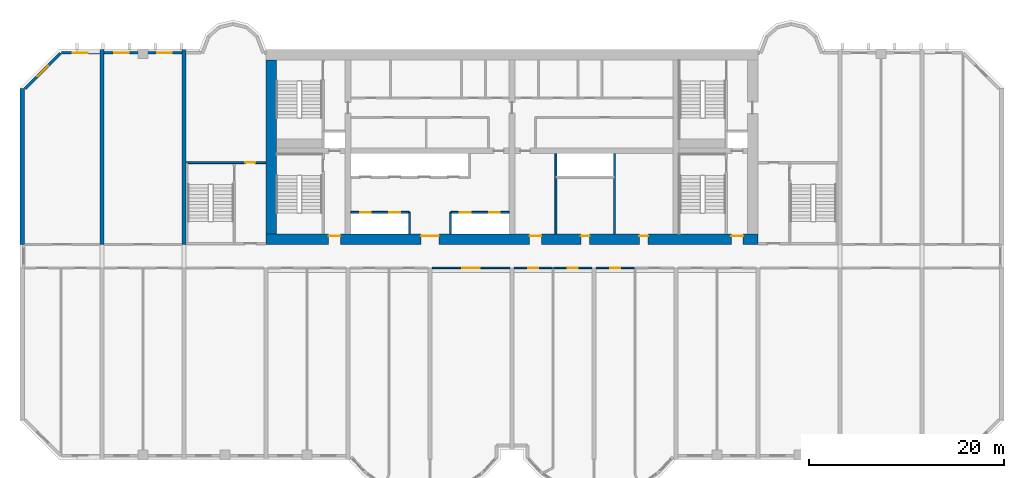
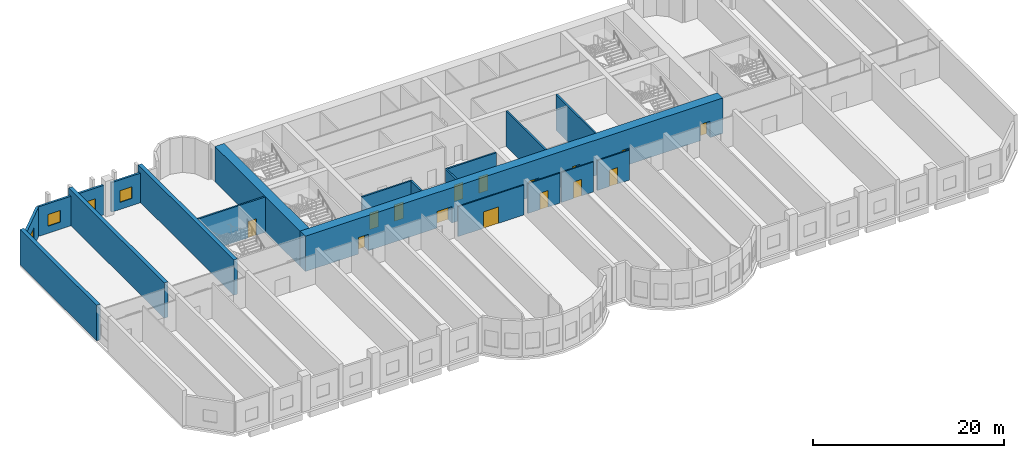
# One storey, part 4 of 10: 20 walls, 15 doors, 4 windows, 19 openings.
"""IFC4 building model written with IfcOpenShell, lengths in metres."""

from ifc_helpers import new_model, si_unit, direction, frame, frame_2d, origin, place, context, subcontext, project, spatial, rectangle, extrude, source, transform, mapped, material, layer, layer_set, type_object, element, fill, save


model = new_model("IFC4")

# Units and contexts
model_context = context("Model", 3, precision=1e-05, world=origin(), true_north=direction((0.0, 1.0)))
body_context = subcontext(model_context, "Body", "Model", "MODEL_VIEW")
ifc_project = project(units=[si_unit("LENGTHUNIT", "METRE"), si_unit("AREAUNIT", "SQUARE_METRE"), si_unit("VOLUMEUNIT", "CUBIC_METRE"), si_unit("PLANEANGLEUNIT", "RADIAN"), si_unit("MASSUNIT", "GRAM", prefix="KILO")], contexts=[model_context])

# Site, building, storey
site_placement = place(None, origin())
site = spatial("IfcSite", under=ifc_project, at=site_placement, CompositionType="ELEMENT")
building_placement = place(site_placement, origin())
building = spatial("IfcBuilding", under=site, at=building_placement, Name="Vanashikhar Sky Hotel", CompositionType="ELEMENT")
storey_placement = place(building_placement, frame((0.0, 0.0, 23.0)))
storey = spatial("IfcBuildingStorey", under=building, at=storey_placement, Name="L04", CompositionType="ELEMENT", Elevation=23.0)

# Wall, openings, doors
ifc_material_1 = material(Name="Concrete M80", Category="concrete")
ifc_layer_1 = layer(ifc_material_1, 1.10009765625)
ifc_layer_set_1 = layer_set([ifc_layer_1], Name="RC core shell wall 1100 Concrete M80")
wall_type_1 = type_object("IfcWallType", Name="RC core shell wall 1100 Concrete M80", PredefinedType="SHEAR", material=ifc_layer_set_1)
shared_shape_1 = source(origin(), body_context, "Body", "SweptSolid", [
    extrude(rectangle(XDim=50.400146484375, YDim=1.10009765625, at=frame_2d((25.2001953125, 0.0))), origin(), (0.0, 0.0, 1.0), 4.52001953125),
])
wall_1_placement = place(storey_placement, frame((25.199951171875, 22.550048828125, 0.0), z_axis=(0.0, 0.0, 1.0), x_axis=(1.0, 0.0, 0.0)))
wall_1 = element("IfcWall", 1, at=wall_1_placement, inside=storey, type_object=wall_type_1, Name="KW-L04-KS", PredefinedType="SHEAR", context=body_context, shape_type="MappedRepresentation", body=[
    mapped(shared_shape_1, transform((0.0, 0.0, 0.0), scale=1.0)),
])
shared_shape_2 = source(origin(), body_context, "Body", "SweptSolid", [
    extrude(rectangle(XDim=1.800048828125, YDim=2.10009765625, at=frame_2d((0.89990234375, 1.050048828125))), frame((0.0, 0.56005859375, 0.0), z_axis=(0.0, -1.0, 0.0), x_axis=(1.0, 0.0, 0.0)), (0.0, 0.0, 1.0), 1.1201171875),
])
opening_1_placement = place(wall_1_placement, frame((15.89990234375, 0.0, 0.0)))
opening_1 = element("IfcOpeningElement", 2, at=opening_1_placement, cuts=wall_1, Name="Opening DC-3-A", PredefinedType="OPENING", context=body_context, shape_type="MappedRepresentation", body=[
    mapped(shared_shape_2, transform((0.0, 0.0, 0.0), scale=1.0)),
])
shared_shape_3 = source(origin(), body_context, "Body", "SweptSolid", [
    extrude(rectangle(XDim=1.199951171875, YDim=2.10009765625, at=frame_2d((0.60009765625, 1.050048828125))), frame((0.0, 0.56005859375, 0.0), z_axis=(0.0, -1.0, 0.0), x_axis=(1.0, 0.0, 0.0)), (0.0, 0.0, 1.0), 1.1201171875),
])
opening_2_placement = place(wall_1_placement, frame((27.0, 0.0, 0.0)))
opening_2 = element("IfcOpeningElement", 3, at=opening_2_placement, cuts=wall_1, Name="Opening DC-4-B", PredefinedType="OPENING", context=body_context, shape_type="MappedRepresentation", body=[
    mapped(shared_shape_3, transform((0.0, 0.0, 0.0), scale=1.0)),
])
shared_shape_4 = source(origin(), body_context, "Body", "SweptSolid", [
    extrude(rectangle(XDim=0.89990234375, YDim=2.10009765625, at=frame_2d((0.449951171875, 1.050048828125))), frame((0.0, 0.56005859375, 0.0), z_axis=(0.0, -1.0, 0.0), x_axis=(1.0, 0.0, 0.0)), (0.0, 0.0, 1.0), 1.1201171875),
])
opening_3_placement = place(wall_1_placement, frame((32.25, 0.0, 0.0)))
opening_3 = element("IfcOpeningElement", 4, at=opening_3_placement, cuts=wall_1, Name="Opening DC-4-A", PredefinedType="OPENING", context=body_context, shape_type="MappedRepresentation", body=[
    mapped(shared_shape_4, transform((0.0, 0.0, 0.0), scale=1.0)),
])
opening_4_placement = place(wall_1_placement, frame((38.25, 0.0, 0.0)))
opening_4 = element("IfcOpeningElement", 5, at=opening_4_placement, cuts=wall_1, Name="Opening DC-4-A", PredefinedType="OPENING", context=body_context, shape_type="MappedRepresentation", body=[
    mapped(shared_shape_4, transform((0.0, 0.0, 0.0), scale=1.0)),
])
opening_5_placement = place(wall_1_placement, frame((6.425048828125, 0.0, 0.0)))
opening_5 = element("IfcOpeningElement", 6, at=opening_5_placement, cuts=wall_1, Name="Opening DC-2", PredefinedType="OPENING", context=body_context, shape_type="MappedRepresentation", body=[
    mapped(shared_shape_3, transform((0.0, 0.0, 0.0), scale=1.0)),
])
opening_6_placement = place(wall_1_placement, frame((47.675048828125, 0.0, 0.0)))
opening_6 = element("IfcOpeningElement", 7, at=opening_6_placement, cuts=wall_1, Name="Opening DC-2", PredefinedType="OPENING", context=body_context, shape_type="MappedRepresentation", body=[
    mapped(shared_shape_3, transform((0.0, 0.0, 0.0), scale=1.0)),
])
ifc_material_2 = material(Name="Glass", Category="glass")
door_type_1 = type_object("IfcDoorType", Name="Lift lobby entrance door 1800 FD30S", OperationType="NOTDEFINED", PredefinedType="DOOR", material=ifc_material_2)
shared_shape_5 = source(origin(), body_context, "Body", "SweptSolid", [
    extrude(rectangle(XDim=1.800048828125, YDim=2.10009765625, at=frame_2d((0.89990234375, 1.050048828125))), frame((0.0, 0.3251953125, 0.0), z_axis=(0.0, -1.0, 0.0), x_axis=(1.0, 0.0, 0.0)), (0.0, 0.0, 1.0), 0.050048828125),
])
door_1_placement = place(opening_1_placement, origin())
door_1 = element("IfcDoor", 8, at=door_1_placement, inside=storey, type_object=door_type_1, Name="Lift lobby entrance door 1800 FD30S", OperationType="DOUBLE_DOOR_SINGLE_SWING", OverallHeight=2.10009765625, OverallWidth=1.800048828125, PredefinedType="DOOR", context=body_context, shape_type="MappedRepresentation", body=[
    mapped(shared_shape_5, transform((0.0, 0.0, 0.0), scale=1.0)),
])
fill(opening_1, door_1)
ifc_material_3 = material(Name="Steel", Category="steel")
door_type_2 = type_object("IfcDoorType", Name="Service door 1200 FD60", OperationType="NOTDEFINED", PredefinedType="DOOR", material=ifc_material_3)
shared_shape_6 = source(origin(), body_context, "Body", "SweptSolid", [
    extrude(rectangle(XDim=1.199951171875, YDim=2.10009765625, at=frame_2d((0.60009765625, 1.050048828125))), frame((0.0, 0.3251953125, 0.0), z_axis=(0.0, -1.0, 0.0), x_axis=(1.0, 0.0, 0.0)), (0.0, 0.0, 1.0), 0.050048828125),
])
door_2_placement = place(opening_2_placement, origin())
door_2 = element("IfcDoor", 9, at=door_2_placement, inside=storey, type_object=door_type_2, Name="Service door 1200 FD60", OperationType="SINGLE_SWING_LEFT", OverallHeight=2.10009765625, OverallWidth=1.199951171875, PredefinedType="DOOR", context=body_context, shape_type="MappedRepresentation", body=[
    mapped(shared_shape_6, transform((0.0, 0.0, 0.0), scale=1.0)),
])
fill(opening_2, door_2)
door_type_3 = type_object("IfcDoorType", Name="Firefighting lobby door 1200 FD120", OperationType="NOTDEFINED", PredefinedType="DOOR", material=ifc_material_3)
door_3_placement = place(opening_5_placement, origin())
door_3 = element("IfcDoor", 10, at=door_3_placement, inside=storey, type_object=door_type_3, Name="Firefighting lobby door 1200 FD120", OperationType="SINGLE_SWING_LEFT", OverallHeight=2.10009765625, OverallWidth=1.199951171875, PredefinedType="DOOR", context=body_context, shape_type="MappedRepresentation", body=[
    mapped(shared_shape_6, transform((0.0, 0.0, 0.0), scale=1.0)),
])
fill(opening_5, door_3)
door_4_placement = place(opening_6_placement, origin())
door_4 = element("IfcDoor", 11, at=door_4_placement, inside=storey, type_object=door_type_3, Name="Firefighting lobby door 1200 FD120", OperationType="SINGLE_SWING_RIGHT", OverallHeight=2.10009765625, OverallWidth=1.199951171875, PredefinedType="DOOR", context=body_context, shape_type="MappedRepresentation", body=[
    mapped(shared_shape_6, transform((0.0, 0.0, 0.0), scale=1.0)),
])
fill(opening_6, door_4)
door_type_4 = type_object("IfcDoorType", Name="Service door 900 FD60", OperationType="NOTDEFINED", PredefinedType="DOOR", material=ifc_material_3)
shared_shape_7 = source(origin(), body_context, "Body", "SweptSolid", [
    extrude(rectangle(XDim=0.89990234375, YDim=2.10009765625, at=frame_2d((0.449951171875, 1.050048828125))), frame((0.0, 0.3251953125, 0.0), z_axis=(0.0, -1.0, 0.0), x_axis=(1.0, 0.0, 0.0)), (0.0, 0.0, 1.0), 0.050048828125),
])
door_5_placement = place(opening_3_placement, origin())
door_5 = element("IfcDoor", 12, at=door_5_placement, inside=storey, type_object=door_type_4, Name="Service door 900 FD60", OperationType="SINGLE_SWING_RIGHT", OverallHeight=2.10009765625, OverallWidth=0.89990234375, PredefinedType="DOOR", context=body_context, shape_type="MappedRepresentation", body=[
    mapped(shared_shape_7, transform((0.0, 0.0, 0.0), scale=1.0)),
])
fill(opening_3, door_5)
door_6_placement = place(opening_4_placement, origin())
door_6 = element("IfcDoor", 13, at=door_6_placement, inside=storey, type_object=door_type_4, Name="Service door 900 FD60", OperationType="SINGLE_SWING_LEFT", OverallHeight=2.10009765625, OverallWidth=0.89990234375, PredefinedType="DOOR", context=body_context, shape_type="MappedRepresentation", body=[
    mapped(shared_shape_7, transform((0.0, 0.0, 0.0), scale=1.0)),
])
fill(opening_4, door_6)

# Walls
shared_shape_8 = source(origin(), body_context, "Body", "SweptSolid", [
    extrude(rectangle(XDim=17.7998046875, YDim=1.10009765625, at=frame_2d((8.89990234375, 0.0))), origin(), (0.0, 0.0, 1.0), 4.52001953125),
])
wall_2_placement = place(storey_placement, frame((25.75, 23.10009765625, 0.0), z_axis=(0.0, 0.0, 1.0), x_axis=(0.0, 1.0, 0.0)))
element("IfcWall", 14, at=wall_2_placement, inside=storey, type_object=wall_type_1, Name="KW-L04-KW", PredefinedType="SHEAR", context=body_context, shape_type="MappedRepresentation", body=[
    mapped(shared_shape_8, transform((0.0, 0.0, 0.0), scale=1.0)),
])
ifc_layer_2 = layer(ifc_material_1, 0.449951171875)
ifc_layer_set_2 = layer_set([ifc_layer_2], Name="RC shear wall 450 Concrete M80")
wall_type_2 = type_object("IfcWallType", Name="RC shear wall 450 Concrete M80", PredefinedType="SHEAR", material=ifc_layer_set_2)
shared_shape_9 = source(origin(), body_context, "Body", "SweptSolid", [
    extrude(rectangle(XDim=16.0, YDim=0.449951171875, at=frame_2d((8.0, 0.0))), origin(), (0.0, 0.0, 1.0), 4.52001953125),
])
wall_3_placement = place(storey_placement, frame((0.22509765625, 22.0, 0.0), z_axis=(0.0, 0.0, 1.0), x_axis=(0.0, 1.0, 0.0)))
element("IfcWall", 15, at=wall_3_placement, inside=storey, type_object=wall_type_2, Name="CW-L04-XW01-2", PredefinedType="SHEAR", context=body_context, shape_type="MappedRepresentation", body=[
    mapped(shared_shape_9, transform((0.0, 0.0, 0.0), scale=1.0)),
])
shared_shape_10 = source(origin(), body_context, "Body", "SweptSolid", [
    extrude(rectangle(XDim=20.0, YDim=0.449951171875, at=frame_2d((10.0, 0.0))), origin(), (0.0, 0.0, 1.0), 4.52001953125),
])
for number, where, z_axis, x_axis, name in (
    (16, (8.39990234375, 22.0, 0.0), (0.0, 0.0, 1.0), (0.0, 1.0, 0.0), "CW-L04-XW02-2"),
    (17, (16.800048828125, 22.0, 0.0), (0.0, 0.0, 1.0), (0.0, 1.0, 0.0), "CW-L04-XW03-2"),
):
    element("IfcWall", number, at=place(storey_placement, frame(where, z_axis=z_axis, x_axis=x_axis)), inside=storey, type_object=wall_type_2, Name=name, PredefinedType="SHEAR", context=body_context, shape_type="MappedRepresentation", body=[
        mapped(shared_shape_10, transform((0.0, 0.0, 0.0), scale=1.0)),
    ])

# Wall, opening, window
ifc_material_4 = material(Name="Concrete M50", Category="concrete")
ifc_layer_3 = layer(ifc_material_4, 0.25)
ifc_layer_set_3 = layer_set([ifc_layer_3], Name="Rear and end board-marked wall 250")
wall_type_3 = type_object("IfcWallType", Name="Rear and end board-marked wall 250", PredefinedType="SOLIDWALL", material=ifc_layer_set_3)
shared_shape_11 = source(origin(), body_context, "Body", "SweptSolid", [
    extrude(rectangle(XDim=3.52490234375, YDim=0.25, at=frame_2d((1.762451171875, 0.0))), origin(), (0.0, 0.0, 1.0), 3.77001953125),
])
wall_4_placement = place(storey_placement, frame((16.574951171875, 41.625, 0.0), z_axis=(0.0, 0.0, 1.0), x_axis=(-1.0, 0.0, 0.0)))
wall_4 = element("IfcWall", 18, at=wall_4_placement, inside=storey, type_object=wall_type_3, Name="Podium external wall", PredefinedType="SOLIDWALL", context=body_context, shape_type="MappedRepresentation", body=[
    mapped(shared_shape_11, transform((0.0, 0.0, 0.0), scale=1.0)),
])
shared_shape_12 = source(origin(), body_context, "Body", "SweptSolid", [
    extrude(rectangle(XDim=1.5, YDim=1.5, at=frame_2d((0.75, 0.75))), frame((0.0, 0.135009765625, 0.0), z_axis=(0.0, -1.0, 0.0), x_axis=(1.0, 0.0, 0.0)), (0.0, 0.0, 1.0), 0.27001953125),
])
opening_7_placement = place(wall_4_placement, frame((1.012451171875, 0.0, 0.89990234375)))
opening_7 = element("IfcOpeningElement", 19, at=opening_7_placement, cuts=wall_4, Name="Opening WN-1", PredefinedType="OPENING", context=body_context, shape_type="MappedRepresentation", body=[
    mapped(shared_shape_12, transform((0.0, 0.0, 0.0), scale=1.0)),
])
window_type = type_object("IfcWindowType", Name="Window 1500 x 1500", PartitioningType="SINGLE_PANEL", PredefinedType="WINDOW", material=ifc_material_2)
shared_shape_13 = source(origin(), body_context, "Body", "SweptSolid", [
    extrude(rectangle(XDim=1.5, YDim=1.5, at=frame_2d((0.75, 0.75))), frame((0.0, 0.030029296875, 0.0), z_axis=(0.0, -1.0, 0.0), x_axis=(1.0, 0.0, 0.0)), (0.0, 0.0, 1.0), 0.06005859375),
])
window_1_placement = place(opening_7_placement, origin())
window_1 = element("IfcWindow", 20, at=window_1_placement, inside=storey, type_object=window_type, Name="Window WN-1", OverallHeight=1.5, OverallWidth=1.5, PartitioningType="SINGLE_PANEL", PredefinedType="WINDOW", context=body_context, shape_type="MappedRepresentation", body=[
    mapped(shared_shape_13, transform((0.0, 0.0, 0.0), scale=1.0)),
])
fill(opening_7, window_1)

wall_5_placement = place(storey_placement, frame((12.14990234375, 41.625, 0.0), z_axis=(0.0, 0.0, 1.0), x_axis=(-1.0, 0.0, 0.0)))
wall_5 = element("IfcWall", 21, at=wall_5_placement, inside=storey, type_object=wall_type_3, Name="Podium external wall", PredefinedType="SOLIDWALL", context=body_context, shape_type="MappedRepresentation", body=[
    mapped(shared_shape_11, transform((0.0, 0.0, 0.0), scale=1.0)),
])
opening_8_placement = place(wall_5_placement, frame((1.012451171875, 0.0, 0.89990234375)))
opening_8 = element("IfcOpeningElement", 22, at=opening_8_placement, cuts=wall_5, Name="Opening WN-1", PredefinedType="OPENING", context=body_context, shape_type="MappedRepresentation", body=[
    mapped(shared_shape_12, transform((0.0, 0.0, 0.0), scale=1.0)),
])
window_2_placement = place(opening_8_placement, origin())
window_2 = element("IfcWindow", 23, at=window_2_placement, inside=storey, type_object=window_type, Name="Window WN-1", OverallHeight=1.5, OverallWidth=1.5, PartitioningType="SINGLE_PANEL", PredefinedType="WINDOW", context=body_context, shape_type="MappedRepresentation", body=[
    mapped(shared_shape_13, transform((0.0, 0.0, 0.0), scale=1.0)),
])
fill(opening_8, window_2)

shared_shape_14 = source(origin(), body_context, "Body", "SweptSolid", [
    extrude(rectangle(XDim=3.899658203125, YDim=0.25, at=frame_2d((1.94970703125, 0.0))), origin(), (0.0, 0.0, 1.0), 3.77001953125),
])
wall_6_placement = place(storey_placement, frame((8.175048828125, 41.625, 0.0), z_axis=(0.0, 0.0, 1.0), x_axis=(-1.0, 0.0, 0.0)))
wall_6 = element("IfcWall", 24, at=wall_6_placement, inside=storey, type_object=wall_type_3, Name="Podium external wall", PredefinedType="SOLIDWALL", context=body_context, shape_type="MappedRepresentation", body=[
    mapped(shared_shape_14, transform((0.0, 0.0, 0.0), scale=1.0)),
])
opening_9_placement = place(wall_6_placement, frame((1.259765625, 0.0, 0.89990234375)))
opening_9 = element("IfcOpeningElement", 25, at=opening_9_placement, cuts=wall_6, Name="Opening WN-1", PredefinedType="OPENING", context=body_context, shape_type="MappedRepresentation", body=[
    mapped(shared_shape_12, transform((0.0, 0.0, 0.0), scale=1.0)),
])
window_3_placement = place(opening_9_placement, origin())
window_3 = element("IfcWindow", 26, at=window_3_placement, inside=storey, type_object=window_type, Name="Window WN-1", OverallHeight=1.5, OverallWidth=1.5, PartitioningType="SINGLE_PANEL", PredefinedType="WINDOW", context=body_context, shape_type="MappedRepresentation", body=[
    mapped(shared_shape_13, transform((0.0, 0.0, 0.0), scale=1.0)),
])
fill(opening_9, window_3)

ifc_layer_4 = layer(ifc_material_4, 0.300048828125)
ifc_layer_set_4 = layer_set([ifc_layer_4], Name="Lobe wall 300")
wall_type_4 = type_object("IfcWallType", Name="Lobe wall 300", PredefinedType="SOLIDWALL", material=ifc_layer_set_4)
shared_shape_15 = source(origin(), body_context, "Body", "SweptSolid", [
    extrude(rectangle(XDim=5.173095703125, YDim=0.300048828125, at=frame_2d((2.58642578125, 0.0))), origin(), (0.0, 0.0, 1.0), 3.77001953125),
])
wall_7_placement = place(storey_placement, frame((4.165771484375, 41.60009765625, 0.0), z_axis=(0.0, 0.0, 1.0), x_axis=(-0.707106781187, -0.707106781187, 0.0)))
wall_7 = element("IfcWall", 27, at=wall_7_placement, inside=storey, type_object=wall_type_4, Name="Corner wall", PredefinedType="SOLIDWALL", context=body_context, shape_type="MappedRepresentation", body=[
    mapped(shared_shape_15, transform((0.0, 0.0, 0.0), scale=1.0)),
])
shared_shape_16 = source(origin(), body_context, "Body", "SweptSolid", [
    extrude(rectangle(XDim=1.5, YDim=1.5, at=frame_2d((0.75, 0.75))), frame((0.0, 0.16015625, 0.0), z_axis=(0.0, -1.0, 0.0), x_axis=(1.0, 0.0, 0.0)), (0.0, 0.0, 1.0), 0.320068359375),
])
opening_10_placement = place(wall_7_placement, frame((1.83642578125, 0.0, 0.89990234375)))
opening_10 = element("IfcOpeningElement", 28, at=opening_10_placement, cuts=wall_7, Name="Opening WN-1", PredefinedType="OPENING", context=body_context, shape_type="MappedRepresentation", body=[
    mapped(shared_shape_16, transform((0.0, 0.0, 0.0), scale=1.0)),
])
window_4_placement = place(opening_10_placement, origin())
window_4 = element("IfcWindow", 29, at=window_4_placement, inside=storey, type_object=window_type, Name="Window WN-1", OverallHeight=1.5, OverallWidth=1.5, PartitioningType="SINGLE_PANEL", PredefinedType="WINDOW", context=body_context, shape_type="MappedRepresentation", body=[
    mapped(shared_shape_13, transform((0.0, 0.0, 0.0), scale=1.0)),
])
fill(opening_10, window_4)

# Wall, opening, door
ifc_layer_5 = layer(ifc_material_4, 0.199951171875)
ifc_layer_set_5 = layer_set([ifc_layer_5], Name="Stair wall 200")
wall_type_5 = type_object("IfcWallType", Name="Stair wall 200", PredefinedType="SOLIDWALL", material=ifc_layer_set_5)
shared_shape_17 = source(origin(), body_context, "Body", "SweptSolid", [
    extrude(rectangle(XDim=8.175048828125, YDim=0.199951171875, at=frame_2d((4.08740234375, 0.0))), origin(), (0.0, 0.0, 1.0), 4.52001953125),
])
wall_8_placement = place(storey_placement, frame((17.02490234375, 30.39990234375, 0.0), z_axis=(0.0, 0.0, 1.0), x_axis=(1.0, 0.0, 0.0)))
wall_8 = element("IfcWall", 30, at=wall_8_placement, inside=storey, type_object=wall_type_5, Name="Stair wall 200", PredefinedType="SOLIDWALL", context=body_context, shape_type="MappedRepresentation", body=[
    mapped(shared_shape_17, transform((0.0, 0.0, 0.0), scale=1.0)),
])
shared_shape_18 = source(origin(), body_context, "Body", "SweptSolid", [
    extrude(rectangle(XDim=1.0, YDim=2.10009765625, at=frame_2d((0.5, 1.050048828125))), frame((0.0, 0.10986328125, 0.0), z_axis=(0.0, -1.0, 0.0), x_axis=(1.0, 0.0, 0.0)), (0.0, 0.0, 1.0), 0.219970703125),
])
opening_11_placement = place(wall_8_placement, frame((6.074951171875, 0.0, 0.0)))
opening_11 = element("IfcOpeningElement", 31, at=opening_11_placement, cuts=wall_8, Name="Opening DC-6", PredefinedType="OPENING", context=body_context, shape_type="MappedRepresentation", body=[
    mapped(shared_shape_18, transform((0.0, 0.0, 0.0), scale=1.0)),
])
door_type_5 = type_object("IfcDoorType", Name="Pocket door 1000 FD60", OperationType="NOTDEFINED", PredefinedType="DOOR", material=ifc_material_3)
shared_shape_19 = source(origin(), body_context, "Body", "SweptSolid", [
    extrude(rectangle(XDim=1.0, YDim=2.10009765625, at=frame_2d((0.5, 1.050048828125))), frame((0.0, 0.02490234375, 0.0), z_axis=(0.0, -1.0, 0.0), x_axis=(1.0, 0.0, 0.0)), (0.0, 0.0, 1.0), 0.050048828125),
])
door_7_placement = place(opening_11_placement, origin())
door_7 = element("IfcDoor", 32, at=door_7_placement, inside=storey, type_object=door_type_5, Name="Pocket door 1000 FD60", OperationType="SINGLE_SWING_LEFT", OverallHeight=2.10009765625, OverallWidth=1.0, PredefinedType="DOOR", context=body_context, shape_type="MappedRepresentation", body=[
    mapped(shared_shape_19, transform((0.0, 0.0, 0.0), scale=1.0)),
])
fill(opening_11, door_7)

# Wall, openings, doors
ifc_material_5 = material(Name="Concrete M40", Category="concrete")
ifc_layer_6 = layer(ifc_material_5, 0.199951171875)
ifc_layer_set_6 = layer_set([ifc_layer_6], Name="Shaft wall 200")
wall_type_6 = type_object("IfcWallType", Name="Shaft wall 200", PredefinedType="SOLIDWALL", material=ifc_layer_set_6)
shared_shape_20 = source(origin(), body_context, "Body", "SweptSolid", [
    extrude(rectangle(XDim=6.0, YDim=0.199951171875, at=frame_2d((3.0, 0.0))), origin(), (0.0, 0.0, 1.0), 4.52001953125),
])
wall_9_placement = place(storey_placement, frame((33.89990234375, 25.300048828125, 0.0), z_axis=(0.0, 0.0, 1.0), x_axis=(1.0, 0.0, 0.0)))
wall_9 = element("IfcWall", 33, at=wall_9_placement, inside=storey, type_object=wall_type_6, Name="Shaft wall 200", PredefinedType="SOLIDWALL", context=body_context, shape_type="MappedRepresentation", body=[
    mapped(shared_shape_20, transform((0.0, 0.0, 0.0), scale=1.0)),
])
shared_shape_21 = source(origin(), body_context, "Body", "SweptSolid", [
    extrude(rectangle(XDim=1.10009765625, YDim=2.10009765625, at=frame_2d((0.550048828125, 1.050048828125))), frame((0.0, 0.10986328125, 0.0), z_axis=(0.0, -1.0, 0.0), x_axis=(1.0, 0.0, 0.0)), (0.0, 0.0, 1.0), 0.219970703125),
])
opening_12_placement = place(wall_9_placement, frame((0.949951171875, 0.0, 0.0)))
opening_12 = element("IfcOpeningElement", 34, at=opening_12_placement, cuts=wall_9, Name="Opening LD", PredefinedType="OPENING", context=body_context, shape_type="MappedRepresentation", body=[
    mapped(shared_shape_21, transform((0.0, 0.0, 0.0), scale=1.0)),
])
opening_13_placement = place(wall_9_placement, frame((3.949951171875, 0.0, 0.0)))
opening_13 = element("IfcOpeningElement", 35, at=opening_13_placement, cuts=wall_9, Name="Opening LD", PredefinedType="OPENING", context=body_context, shape_type="MappedRepresentation", body=[
    mapped(shared_shape_21, transform((0.0, 0.0, 0.0), scale=1.0)),
])
ifc_material_6 = material(Name="Stainless steel", Category="steel")
door_type_6 = type_object("IfcDoorType", Name="Lift landing door 1100", OperationType="NOTDEFINED", PredefinedType="DOOR", material=ifc_material_6)
shared_shape_22 = source(origin(), body_context, "Body", "SweptSolid", [
    extrude(rectangle(XDim=1.10009765625, YDim=2.10009765625, at=frame_2d((0.550048828125, 1.050048828125))), frame((0.0, 0.02490234375, 0.0), z_axis=(0.0, -1.0, 0.0), x_axis=(1.0, 0.0, 0.0)), (0.0, 0.0, 1.0), 0.050048828125),
])
door_8_placement = place(opening_12_placement, origin())
door_8 = element("IfcDoor", 36, at=door_8_placement, inside=storey, type_object=door_type_6, Name="Lift landing door 1100", OperationType="SLIDING_TO_LEFT", OverallHeight=2.10009765625, OverallWidth=1.10009765625, PredefinedType="DOOR", context=body_context, shape_type="MappedRepresentation", body=[
    mapped(shared_shape_22, transform((0.0, 0.0, 0.0), scale=1.0)),
])
fill(opening_12, door_8)
door_9_placement = place(opening_13_placement, origin())
door_9 = element("IfcDoor", 37, at=door_9_placement, inside=storey, type_object=door_type_6, Name="Lift landing door 1100", OperationType="SLIDING_TO_RIGHT", OverallHeight=2.10009765625, OverallWidth=1.10009765625, PredefinedType="DOOR", context=body_context, shape_type="MappedRepresentation", body=[
    mapped(shared_shape_22, transform((0.0, 0.0, 0.0), scale=1.0)),
])
fill(opening_13, door_9)

wall_10_placement = place(storey_placement, frame((44.10009765625, 25.300048828125, 0.0), z_axis=(0.0, 0.0, 1.0), x_axis=(1.0, 0.0, 0.0)))
wall_10 = element("IfcWall", 38, at=wall_10_placement, inside=storey, type_object=wall_type_6, Name="Shaft wall 200", PredefinedType="SOLIDWALL", context=body_context, shape_type="MappedRepresentation", body=[
    mapped(shared_shape_20, transform((0.0, 0.0, 0.0), scale=1.0)),
])
opening_14_placement = place(wall_10_placement, frame((0.949951171875, 0.0, 0.0)))
opening_14 = element("IfcOpeningElement", 39, at=opening_14_placement, cuts=wall_10, Name="Opening LD", PredefinedType="OPENING", context=body_context, shape_type="MappedRepresentation", body=[
    mapped(shared_shape_21, transform((0.0, 0.0, 0.0), scale=1.0)),
])
opening_15_placement = place(wall_10_placement, frame((3.949951171875, 0.0, 0.0)))
opening_15 = element("IfcOpeningElement", 40, at=opening_15_placement, cuts=wall_10, Name="Opening LD", PredefinedType="OPENING", context=body_context, shape_type="MappedRepresentation", body=[
    mapped(shared_shape_21, transform((0.0, 0.0, 0.0), scale=1.0)),
])
door_10_placement = place(opening_14_placement, origin())
door_10 = element("IfcDoor", 41, at=door_10_placement, inside=storey, type_object=door_type_6, Name="Lift landing door 1100", OperationType="SLIDING_TO_LEFT", OverallHeight=2.10009765625, OverallWidth=1.10009765625, PredefinedType="DOOR", context=body_context, shape_type="MappedRepresentation", body=[
    mapped(shared_shape_22, transform((0.0, 0.0, 0.0), scale=1.0)),
])
fill(opening_14, door_10)
door_11_placement = place(opening_15_placement, origin())
door_11 = element("IfcDoor", 42, at=door_11_placement, inside=storey, type_object=door_type_6, Name="Lift landing door 1100", OperationType="SLIDING_TO_RIGHT", OverallHeight=2.10009765625, OverallWidth=1.10009765625, PredefinedType="DOOR", context=body_context, shape_type="MappedRepresentation", body=[
    mapped(shared_shape_22, transform((0.0, 0.0, 0.0), scale=1.0)),
])
fill(opening_15, door_11)

# Walls
shared_shape_23 = source(origin(), body_context, "Body", "SweptSolid", [
    extrude(rectangle(XDim=2.199951171875, YDim=0.199951171875, at=frame_2d((1.10009765625, 0.0))), origin(), (0.0, 0.0, 1.0), 4.52001953125),
])
for number, where, z_axis, x_axis, name in (
    (43, (39.89990234375, 23.10009765625, 0.0), (0.0, 0.0, 1.0), (0.0, 1.0, 0.0), "Shaft wall 200"),
    (44, (44.10009765625, 23.10009765625, 0.0), (0.0, 0.0, 1.0), (0.0, 1.0, 0.0), "Shaft wall 200"),
):
    element("IfcWall", number, at=place(storey_placement, frame(where, z_axis=z_axis, x_axis=x_axis)), inside=storey, type_object=wall_type_6, Name=name, PredefinedType="SOLIDWALL", context=body_context, shape_type="MappedRepresentation", body=[
        mapped(shared_shape_23, transform((0.0, 0.0, 0.0), scale=1.0)),
    ])
ifc_material_7 = material(Name="Gypsum board partition")
ifc_layer_7 = layer(ifc_material_7, 0.14990234375)
ifc_layer_set_7 = layer_set([ifc_layer_7], Name="Service partition 150")
wall_type_7 = type_object("IfcWallType", Name="Service partition 150", PredefinedType="PARTITIONING", material=ifc_layer_set_7)
shared_shape_24 = source(origin(), body_context, "Body", "SweptSolid", [
    extrude(rectangle(XDim=8.199951171875, YDim=0.199951171875, at=frame_2d((4.10009765625, 0.0))), origin(), (0.0, 0.0, 1.0), 4.52001953125),
])
for number, where, z_axis, x_axis, name in (
    (45, (54.89990234375, 23.10009765625, 0.0), (0.0, 0.0, 1.0), (0.0, 1.0, 0.0), "Service partition 150"),
    (46, (60.89990234375, 23.10009765625, 0.0), (0.0, 0.0, 1.0), (0.0, 1.0, 0.0), "Service partition 150"),
):
    element("IfcWall", number, at=place(storey_placement, frame(where, z_axis=z_axis, x_axis=x_axis)), inside=storey, type_object=wall_type_7, Name=name, PredefinedType="PARTITIONING", context=body_context, shape_type="MappedRepresentation", body=[
        mapped(shared_shape_24, transform((0.0, 0.0, 0.0), scale=1.0)),
    ])

# Wall, opening, door
ifc_material_8 = material(Name="Gypsum plasterboard partition")
ifc_layer_8 = layer(ifc_material_8, 0.14990234375)
ifc_layer_set_8 = layer_set([ifc_layer_8], Name="Corridor and demising partition 150")
wall_type_8 = type_object("IfcWallType", Name="Corridor and demising partition 150", PredefinedType="PARTITIONING", material=ifc_layer_set_8)
shared_shape_25 = source(origin(), body_context, "Body", "SweptSolid", [
    extrude(rectangle(XDim=3.900146484375, YDim=0.14990234375, at=frame_2d((1.9501953125, 0.0))), origin(), (0.0, 0.0, 1.0), 3.820068359375),
])
wall_11_placement = place(storey_placement, frame((59.02490234375, 19.60009765625, 0.0), z_axis=(0.0, 0.0, 1.0), x_axis=(1.0, 0.0, 0.0)))
wall_11 = element("IfcWall", 47, at=wall_11_placement, inside=storey, type_object=wall_type_8, Name="W-L04-PW018", PredefinedType="PARTITIONING", context=body_context, shape_type="MappedRepresentation", body=[
    mapped(shared_shape_25, transform((0.0, 0.0, 0.0), scale=1.0)),
])
shared_shape_26 = source(origin(), body_context, "Body", "SweptSolid", [
    extrude(rectangle(XDim=1.0, YDim=2.10009765625, at=frame_2d((0.5, 1.050048828125))), frame((0.0, 0.0849609375, 0.0), z_axis=(0.0, -1.0, 0.0), x_axis=(1.0, 0.0, 0.0)), (0.0, 0.0, 1.0), 0.169921875),
])
opening_16_placement = place(wall_11_placement, frame((1.449951171875, 0.0, 0.0)))
opening_16 = element("IfcOpeningElement", 48, at=opening_16_placement, cuts=wall_11, Name="Opening D-01", PredefinedType="OPENING", context=body_context, shape_type="MappedRepresentation", body=[
    mapped(shared_shape_26, transform((0.0, 0.0, 0.0), scale=1.0)),
])
ifc_material_9 = material(Name="Timber fire door", Category="wood")
door_type_7 = type_object("IfcDoorType", Name="Guest entry door 1000 FD30S", OperationType="NOTDEFINED", PredefinedType="DOOR", material=ifc_material_9)
door_12_placement = place(opening_16_placement, origin())
door_12 = element("IfcDoor", 49, at=door_12_placement, inside=storey, type_object=door_type_7, Name="D-L04-013", OperationType="SINGLE_SWING_LEFT", OverallHeight=2.10009765625, OverallWidth=1.0, PredefinedType="DOOR", context=body_context, shape_type="MappedRepresentation", body=[
    mapped(shared_shape_19, transform((0.0, 0.0, 0.0), scale=1.0)),
])
fill(opening_16, door_12)

shared_shape_27 = source(origin(), body_context, "Body", "SweptSolid", [
    extrude(rectangle(XDim=3.89990234375, YDim=0.14990234375, at=frame_2d((1.949951171875, 0.0))), origin(), (0.0, 0.0, 1.0), 3.820068359375),
])
wall_12_placement = place(storey_placement, frame((50.625, 19.60009765625, 0.0), z_axis=(0.0, 0.0, 1.0), x_axis=(1.0, 0.0, 0.0)))
wall_12 = element("IfcWall", 50, at=wall_12_placement, inside=storey, type_object=wall_type_8, Name="W-L04-PW015", PredefinedType="PARTITIONING", context=body_context, shape_type="MappedRepresentation", body=[
    mapped(shared_shape_27, transform((0.0, 0.0, 0.0), scale=1.0)),
])
opening_17_placement = place(wall_12_placement, frame((1.449951171875, 0.0, 0.0)))
opening_17 = element("IfcOpeningElement", 51, at=opening_17_placement, cuts=wall_12, Name="Opening D-01", PredefinedType="OPENING", context=body_context, shape_type="MappedRepresentation", body=[
    mapped(shared_shape_26, transform((0.0, 0.0, 0.0), scale=1.0)),
])
door_13_placement = place(opening_17_placement, origin())
door_13 = element("IfcDoor", 52, at=door_13_placement, inside=storey, type_object=door_type_7, Name="D-L04-011", OperationType="SINGLE_SWING_LEFT", OverallHeight=2.10009765625, OverallWidth=1.0, PredefinedType="DOOR", context=body_context, shape_type="MappedRepresentation", body=[
    mapped(shared_shape_19, transform((0.0, 0.0, 0.0), scale=1.0)),
])
fill(opening_17, door_13)

wall_13_placement = place(storey_placement, frame((54.675048828125, 19.60009765625, 0.0), z_axis=(0.0, 0.0, 1.0), x_axis=(1.0, 0.0, 0.0)))
wall_13 = element("IfcWall", 53, at=wall_13_placement, inside=storey, type_object=wall_type_8, Name="W-L04-PW016", PredefinedType="PARTITIONING", context=body_context, shape_type="MappedRepresentation", body=[
    mapped(shared_shape_27, transform((0.0, 0.0, 0.0), scale=1.0)),
])
opening_18_placement = place(wall_13_placement, frame((1.449951171875, 0.0, 0.0)))
opening_18 = element("IfcOpeningElement", 54, at=opening_18_placement, cuts=wall_13, Name="Opening D-01", PredefinedType="OPENING", context=body_context, shape_type="MappedRepresentation", body=[
    mapped(shared_shape_26, transform((0.0, 0.0, 0.0), scale=1.0)),
])
door_14_placement = place(opening_18_placement, origin())
door_14 = element("IfcDoor", 55, at=door_14_placement, inside=storey, type_object=door_type_7, Name="D-L04-012", OperationType="SINGLE_SWING_RIGHT", OverallHeight=2.10009765625, OverallWidth=1.0, PredefinedType="DOOR", context=body_context, shape_type="MappedRepresentation", body=[
    mapped(shared_shape_19, transform((0.0, 0.0, 0.0), scale=1.0)),
])
fill(opening_18, door_14)

shared_shape_28 = source(origin(), body_context, "Body", "SweptSolid", [
    extrude(rectangle(XDim=7.949951171875, YDim=0.14990234375, at=frame_2d((3.97509765625, 0.0))), origin(), (0.0, 0.0, 1.0), 3.820068359375),
])
wall_14_placement = place(storey_placement, frame((42.22509765625, 19.60009765625, 0.0), z_axis=(0.0, 0.0, 1.0), x_axis=(1.0, 0.0, 0.0)))
wall_14 = element("IfcWall", 56, at=wall_14_placement, inside=storey, type_object=wall_type_8, Name="W-L04-PW014", PredefinedType="PARTITIONING", context=body_context, shape_type="MappedRepresentation", body=[
    mapped(shared_shape_28, transform((0.0, 0.0, 0.0), scale=1.0)),
])
shared_shape_29 = source(origin(), body_context, "Body", "SweptSolid", [
    extrude(rectangle(XDim=1.800048828125, YDim=2.10009765625, at=frame_2d((0.89990234375, 1.050048828125))), frame((0.0, 0.0849609375, 0.0), z_axis=(0.0, -1.0, 0.0), x_axis=(1.0, 0.0, 0.0)), (0.0, 0.0, 1.0), 0.169921875),
])
opening_19_placement = place(wall_14_placement, frame((3.074951171875, 0.0, 0.0)))
opening_19 = element("IfcOpeningElement", 57, at=opening_19_placement, cuts=wall_14, Name="Opening D-03", PredefinedType="OPENING", context=body_context, shape_type="MappedRepresentation", body=[
    mapped(shared_shape_29, transform((0.0, 0.0, 0.0), scale=1.0)),
])
door_type_8 = type_object("IfcDoorType", Name="Double leaf door 1800 FD30S", OperationType="NOTDEFINED", PredefinedType="DOOR", material=ifc_material_9)
shared_shape_30 = source(origin(), body_context, "Body", "SweptSolid", [
    extrude(rectangle(XDim=1.800048828125, YDim=2.10009765625, at=frame_2d((0.89990234375, 1.050048828125))), frame((0.0, 0.02490234375, 0.0), z_axis=(0.0, -1.0, 0.0), x_axis=(1.0, 0.0, 0.0)), (0.0, 0.0, 1.0), 0.050048828125),
])
door_15_placement = place(opening_19_placement, origin())
door_15 = element("IfcDoor", 58, at=door_15_placement, inside=storey, type_object=door_type_8, Name="D-L04-010", OperationType="DOUBLE_DOOR_SINGLE_SWING", OverallHeight=2.10009765625, OverallWidth=1.800048828125, PredefinedType="DOOR", context=body_context, shape_type="MappedRepresentation", body=[
    mapped(shared_shape_30, transform((0.0, 0.0, 0.0), scale=1.0)),
])
fill(opening_19, door_15)

save(model, "model.ifc")
